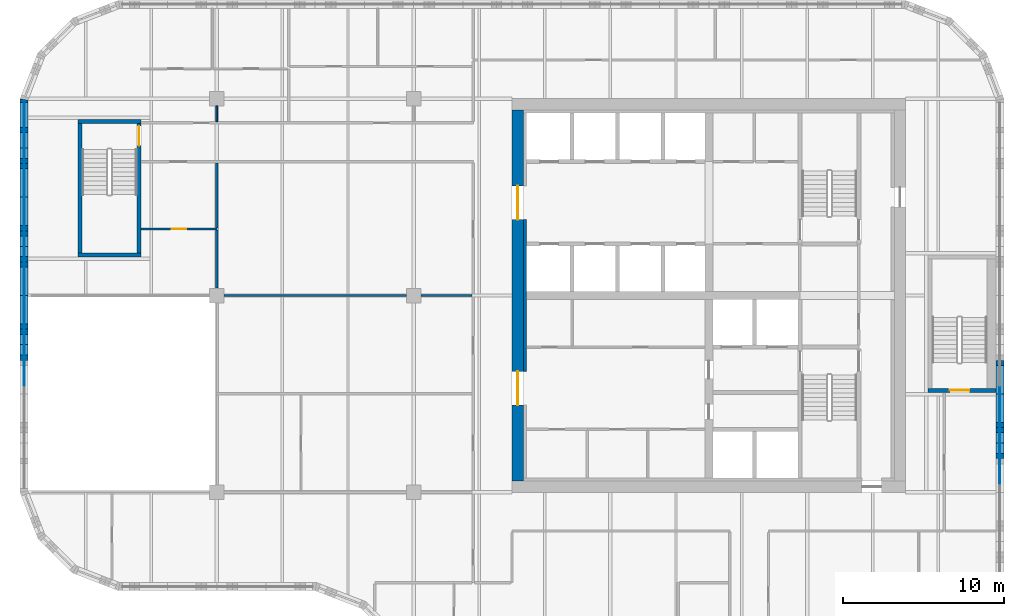
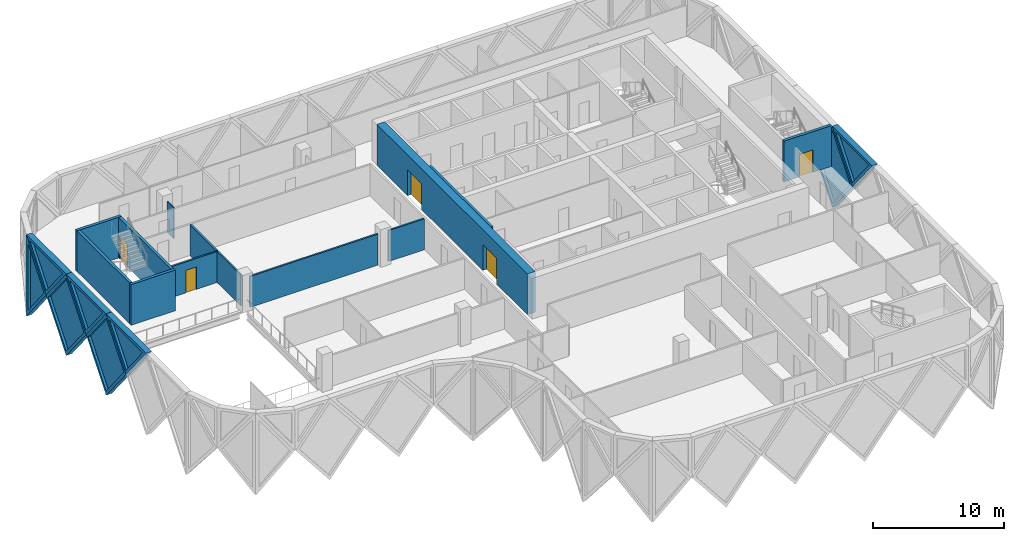
# One storey, part 9 of 15: 21 walls, 8 plates, 5 doors, 13 openings.
"""IFC4 building model written with IfcOpenShell, lengths in metres."""

from ifc_helpers import new_model, si_unit, direction, frame, frame_2d, origin, place, context, subcontext, project, spatial, polyline, rectangle, outline, extrude, faceted_brep, source, transform, mapped, material, layer, layer_set, type_object, element, fill, save


model = new_model("IFC4")

# Units and contexts
model_context = context("Model", 3, precision=1e-05, world=origin(), true_north=direction((0.0, 1.0)))
body_context = subcontext(model_context, "Body", "Model", "MODEL_VIEW")
ifc_project = project(units=[si_unit("LENGTHUNIT", "METRE"), si_unit("AREAUNIT", "SQUARE_METRE"), si_unit("VOLUMEUNIT", "CUBIC_METRE"), si_unit("PLANEANGLEUNIT", "RADIAN"), si_unit("MASSUNIT", "GRAM", prefix="KILO")], contexts=[model_context])

# Site, building, storey
site_placement = place(None, origin())
site = spatial("IfcSite", under=ifc_project, at=site_placement, CompositionType="ELEMENT")
building_placement = place(site_placement, origin())
building = spatial("IfcBuilding", under=site, at=building_placement, Name="Tessera Gate Towers", CompositionType="ELEMENT")
storey_placement = place(building_placement, frame((0.0, 0.0, 146.800048828125)))
storey = spatial("IfcBuildingStorey", under=building, at=storey_placement, Name="L36", CompositionType="ELEMENT", Elevation=146.800048828125)

# Walls
ifc_material_1 = material(Name="Concrete C40/50", Category="concrete")
ifc_layer_1 = layer(ifc_material_1, 0.25)
ifc_layer_set_1 = layer_set([ifc_layer_1], Name="CORE ENCLOSURE WALL 250")
wall_type_1 = type_object("IfcWallType", Name="CORE ENCLOSURE WALL 250", PredefinedType="SOLIDWALL", material=ifc_layer_set_1)
wall_1_placement = place(storey_placement, frame((7.5, 39.125, 0.0), z_axis=(0.0, 0.0, 1.0), x_axis=(-1.0, 0.0, 0.0)))
element("IfcWall", 1, at=wall_1_placement, inside=storey, type_object=wall_type_1, Name="L36 ST3 enclosure wall", PredefinedType="SOLIDWALL", context=body_context, shape_type="SweptSolid", body=[
    extrude(rectangle(XDim=3.89990234375, YDim=0.25, at=frame_2d((1.949951171875, 0.0))), origin(), (0.0, 0.0, 1.0), 3.800048828125),
])
wall_2_placement = place(storey_placement, frame((3.72509765625, 39.25, 0.0), z_axis=(0.0, 0.0, 1.0), x_axis=(0.0, 1.0, 0.0)))
element("IfcWall", 2, at=wall_2_placement, inside=storey, type_object=wall_type_1, Name="L36 ST3 enclosure wall", PredefinedType="SOLIDWALL", context=body_context, shape_type="SweptSolid", body=[
    extrude(rectangle(XDim=8.0, YDim=0.25, at=frame_2d((4.0, 0.0))), origin(), (0.0, 0.0, 1.0), 3.800048828125),
])
wall_3_placement = place(storey_placement, frame((3.60009765625, 47.375, 0.0), z_axis=(0.0, 0.0, 1.0), x_axis=(1.0, 0.0, 0.0)))
element("IfcWall", 3, at=wall_3_placement, inside=storey, type_object=wall_type_1, Name="L36 ST3 enclosure wall", PredefinedType="SOLIDWALL", context=body_context, shape_type="SweptSolid", body=[
    extrude(rectangle(XDim=3.89990234375, YDim=0.25, at=frame_2d((1.949951171875, 0.0))), origin(), (0.0, 0.0, 1.0), 3.800048828125),
])

# Wall, opening, door
wall_4_placement = place(storey_placement, frame((7.375, 47.25, 0.0), z_axis=(0.0, 0.0, 1.0), x_axis=(0.0, -1.0, 0.0)))
wall_4 = element("IfcWall", 4, at=wall_4_placement, inside=storey, type_object=wall_type_1, Name="L36 ST3 enclosure wall", PredefinedType="SOLIDWALL", context=body_context, shape_type="SweptSolid", body=[
    extrude(rectangle(XDim=8.0, YDim=0.25, at=frame_2d((4.0, 0.0))), origin(), (0.0, 0.0, 1.0), 3.800048828125),
])
shared_shape_1 = source(origin(), body_context, "Body", "SweptSolid", [
    extrude(rectangle(XDim=1.199951171875, YDim=2.10009765625, at=frame_2d((0.60009765625, 1.050048828125))), frame((0.0, 0.135009765625, 0.0), z_axis=(0.0, -1.0, 0.0), x_axis=(1.0, 0.0, 0.0)), (0.0, 0.0, 1.0), 0.27001953125),
])
opening_1_placement = place(wall_4_placement, frame((0.14990234375, 0.0, 0.0)))
opening_1 = element("IfcOpeningElement", 5, at=opening_1_placement, cuts=wall_4, Name="Opening SD-ST3-1", PredefinedType="OPENING", context=body_context, shape_type="MappedRepresentation", body=[
    mapped(shared_shape_1, transform((0.0, 0.0, 0.0), scale=1.0)),
])
ifc_material_2 = material(Name="Hollow steel fire door", Category="steel")
door_type_1 = type_object("IfcDoorType", Name="CORE DOOR SD 1200x2100", OperationType="NOTDEFINED", PredefinedType="DOOR", material=ifc_material_2)
shared_shape_2 = source(origin(), body_context, "Body", "SweptSolid", [
    extrude(rectangle(XDim=1.199951171875, YDim=2.10009765625, at=frame_2d((0.60009765625, 1.050048828125))), frame((0.0, 0.02490234375, 0.0), z_axis=(0.0, -1.0, 0.0), x_axis=(1.0, 0.0, 0.0)), (0.0, 0.0, 1.0), 0.050048828125),
])
door_1_placement = place(opening_1_placement, origin())
door_1 = element("IfcDoor", 6, at=door_1_placement, inside=storey, type_object=door_type_1, Name="Stair door", OperationType="SINGLE_SWING_LEFT", OverallHeight=2.10009765625, OverallWidth=1.199951171875, PredefinedType="DOOR", context=body_context, shape_type="MappedRepresentation", body=[
    mapped(shared_shape_2, transform((0.0, 0.0, 0.0), scale=1.0)),
])
fill(opening_1, door_1)

wall_5_placement = place(storey_placement, frame((60.5, 30.72509765625, 0.0), z_axis=(0.0, 0.0, 1.0), x_axis=(-1.0, 0.0, 0.0)))
wall_5 = element("IfcWall", 7, at=wall_5_placement, inside=storey, type_object=wall_type_1, Name="L36 ST5 enclosure wall", PredefinedType="SOLIDWALL", context=body_context, shape_type="SweptSolid", body=[
    extrude(rectangle(XDim=4.199951171875, YDim=0.25, at=frame_2d((2.10009765625, 0.0))), origin(), (0.0, 0.0, 1.0), 3.800048828125),
])
opening_2_placement = place(wall_5_placement, frame((1.64990234375, 0.0, 0.0)))
opening_2 = element("IfcOpeningElement", 8, at=opening_2_placement, cuts=wall_5, Name="Opening SD-ST5-1", PredefinedType="OPENING", context=body_context, shape_type="MappedRepresentation", body=[
    mapped(shared_shape_1, transform((0.0, 0.0, 0.0), scale=1.0)),
])
door_2_placement = place(opening_2_placement, origin())
door_2 = element("IfcDoor", 9, at=door_2_placement, inside=storey, type_object=door_type_1, Name="Stair door", OperationType="SINGLE_SWING_RIGHT", OverallHeight=2.10009765625, OverallWidth=1.199951171875, PredefinedType="DOOR", context=body_context, shape_type="MappedRepresentation", body=[
    mapped(shared_shape_2, transform((0.0, 0.0, 0.0), scale=1.0)),
])
fill(opening_2, door_2)

# Wall, openings, doors
ifc_material_3 = material(Name="Concrete C60/75", Category="concrete")
ifc_layer_2 = layer(ifc_material_3, 0.699951171875)
ifc_layer_set_2 = layer_set([ifc_layer_2], Name="CORE SHEAR WALL 700 C60/75")
wall_type_2 = type_object("IfcWallType", Name="CORE SHEAR WALL 700 C60/75", PredefinedType="SHEAR", material=ifc_layer_set_2)
wall_6_placement = place(storey_placement, frame((30.85009765625, 25.10009765625, 0.0), z_axis=(0.0, 0.0, 1.0), x_axis=(0.0, 1.0, 0.0)))
wall_6 = element("IfcWall", 10, at=wall_6_placement, inside=storey, type_object=wall_type_2, Name="Core wall W L36", PredefinedType="SHEAR", context=body_context, shape_type="SweptSolid", body=[
    extrude(rectangle(XDim=23.0, YDim=0.699951171875, at=frame_2d((11.5, 0.0))), origin(), (0.0, 0.0, 1.0), 3.800048828125),
])
shared_shape_3 = source(origin(), body_context, "Body", "SweptSolid", [
    extrude(rectangle(XDim=2.10009765625, YDim=2.39990234375, at=frame_2d((1.050048828125, 1.199951171875))), frame((0.0, 0.35986328125, 0.0), z_axis=(0.0, -1.0, 0.0), x_axis=(1.0, 0.0, 0.0)), (0.0, 0.0, 1.0), 0.719970703125),
])
opening_3_placement = place(wall_6_placement, frame((4.699951171875, 0.0, 0.0)))
opening_3 = element("IfcOpeningElement", 11, at=opening_3_placement, cuts=wall_6, Name="Opening DD-T1-23-02", PredefinedType="OPENING", context=body_context, shape_type="MappedRepresentation", body=[
    mapped(shared_shape_3, transform((0.0, 0.0, 0.0), scale=1.0)),
])
opening_4_placement = place(wall_6_placement, frame((16.199951171875, 0.0, 0.0)))
opening_4 = element("IfcOpeningElement", 12, at=opening_4_placement, cuts=wall_6, Name="Opening DD-T1-23-03", PredefinedType="OPENING", context=body_context, shape_type="MappedRepresentation", body=[
    mapped(shared_shape_3, transform((0.0, 0.0, 0.0), scale=1.0)),
])
ifc_material_4 = material(Name="Hollow steel fire door", Category="steel")
door_type_2 = type_object("IfcDoorType", Name="CORE DOOR DD 2100x2400", OperationType="NOTDEFINED", PredefinedType="DOOR", material=ifc_material_4)
shared_shape_4 = source(origin(), body_context, "Body", "SweptSolid", [
    extrude(rectangle(XDim=2.10009765625, YDim=2.39990234375, at=frame_2d((1.050048828125, 1.199951171875))), frame((0.0, 0.02490234375, 0.0), z_axis=(0.0, -1.0, 0.0), x_axis=(1.0, 0.0, 0.0)), (0.0, 0.0, 1.0), 0.050048828125),
])
door_3_placement = place(opening_3_placement, origin())
door_3 = element("IfcDoor", 13, at=door_3_placement, inside=storey, type_object=door_type_2, Name="Core entrance door", OperationType="DOUBLE_DOOR_SINGLE_SWING", OverallHeight=2.39990234375, OverallWidth=2.10009765625, PredefinedType="DOOR", context=body_context, shape_type="MappedRepresentation", body=[
    mapped(shared_shape_4, transform((0.0, 0.0, 0.0), scale=1.0)),
])
fill(opening_3, door_3)
door_4_placement = place(opening_4_placement, origin())
door_4 = element("IfcDoor", 14, at=door_4_placement, inside=storey, type_object=door_type_2, Name="Core entrance door", OperationType="DOUBLE_DOOR_SINGLE_SWING", OverallHeight=2.39990234375, OverallWidth=2.10009765625, PredefinedType="DOOR", context=body_context, shape_type="MappedRepresentation", body=[
    mapped(shared_shape_4, transform((0.0, 0.0, 0.0), scale=1.0)),
])
fill(opening_4, door_4)

# Walls
ifc_material_5 = material(Name="Concrete C60/75", Category="concrete")
ifc_layer_3 = layer(ifc_material_5, 0.199951171875)
ifc_layer_set_3 = layer_set([ifc_layer_3], Name="CORE WALL THICKENING 200")
wall_type_3 = type_object("IfcWallType", Name="CORE WALL THICKENING 200", PredefinedType="SOLIDWALL", material=ifc_layer_set_3)
wall_7_placement = place(storey_placement, frame((31.300048828125, 31.89990234375, 0.0), z_axis=(0.0, 0.0, 1.0), x_axis=(0.0, 1.0, 0.0)))
element("IfcWall", 15, at=wall_7_placement, inside=storey, type_object=wall_type_3, Name="Core wall thickening W L36", PredefinedType="SOLIDWALL", context=body_context, shape_type="SweptSolid", body=[
    extrude(rectangle(XDim=9.400146484375, YDim=0.199951171875, at=frame_2d((4.7001953125, 0.0))), origin(), (0.0, 0.0, 1.0), 3.800048828125),
])
ifc_material_6 = material(Name="Gypsum board on steel studs", Category="steel")
ifc_layer_4 = layer(ifc_material_6, 0.10009765625)
ifc_layer_set_4 = layer_set([ifc_layer_4], Name="PARTITION 100")
wall_type_4 = type_object("IfcWallType", Name="PARTITION 100", PredefinedType="PARTITIONING", material=ifc_layer_set_4)
wall_8_placement = place(storey_placement, frame((12.199951171875, 48.35009765625, 0.0), z_axis=(0.0, 0.0, 1.0), x_axis=(0.0, -1.0, 0.0)))
element("IfcWall", 16, at=wall_8_placement, inside=storey, type_object=wall_type_4, Name="T1-L36-PW-044", PredefinedType="PARTITIONING", context=body_context, shape_type="SweptSolid", body=[
    extrude(rectangle(XDim=0.97509765625, YDim=0.10009765625, at=frame_2d((0.487548828125, 0.0))), origin(), (0.0, 0.0, 1.0), 2.887939453125),
])
ifc_material_7 = material(Name="Gypsum board on steel studs, mineral wool", Category="steel")
ifc_layer_5 = layer(ifc_material_7, 0.14990234375)
ifc_layer_set_5 = layer_set([ifc_layer_5], Name="TENANCY WALL 150")
wall_type_5 = type_object("IfcWallType", Name="TENANCY WALL 150", PredefinedType="PARTITIONING", material=ifc_layer_set_5)
wall_9_placement = place(storey_placement, frame((12.65087890625, 36.60009765625, 0.0), z_axis=(0.0, 0.0, 1.0), x_axis=(1.0, 0.0, 0.0)))
element("IfcWall", 17, at=wall_9_placement, inside=storey, type_object=wall_type_5, Name="T1-L36-PW-035", PredefinedType="PARTITIONING", context=body_context, shape_type="SweptSolid", body=[
    extrude(rectangle(XDim=11.298095703125, YDim=0.14990234375, at=frame_2d((5.64892578125, 0.0))), origin(), (0.0, 0.0, 1.0), 2.887939453125),
])
wall_10_placement = place(storey_placement, frame((24.85107421875, 36.60009765625, 0.0), z_axis=(0.0, 0.0, 1.0), x_axis=(1.0, 0.0, 0.0)))
element("IfcWall", 18, at=wall_10_placement, inside=storey, type_object=wall_type_5, Name="T1-L36-PW-036", PredefinedType="PARTITIONING", context=body_context, shape_type="SweptSolid", body=[
    extrude(rectangle(XDim=3.1728515625, YDim=0.14990234375, at=frame_2d((1.58642578125, 0.0))), origin(), (0.0, 0.0, 1.0), 2.887939453125),
])
wall_11_placement = place(storey_placement, frame((12.199951171875, 37.051025390625, 0.0), z_axis=(0.0, 0.0, 1.0), x_axis=(0.0, 1.0, 0.0)))
element("IfcWall", 19, at=wall_11_placement, inside=storey, type_object=wall_type_5, Name="T1-L36-PW-037", PredefinedType="PARTITIONING", context=body_context, shape_type="SweptSolid", body=[
    extrude(rectangle(XDim=3.597900390625, YDim=0.14990234375, at=frame_2d((1.798828125, 0.0))), origin(), (0.0, 0.0, 1.0), 2.887939453125),
])

# Wall, opening, door
wall_12_placement = place(storey_placement, frame((12.199951171875, 40.72509765625, 0.0), z_axis=(0.0, 0.0, 1.0), x_axis=(-1.0, 0.0, 0.0)))
wall_12 = element("IfcWall", 20, at=wall_12_placement, inside=storey, type_object=wall_type_5, Name="T1-L36-PW-038", PredefinedType="PARTITIONING", context=body_context, shape_type="SweptSolid", body=[
    extrude(rectangle(XDim=4.699951171875, YDim=0.14990234375, at=frame_2d((2.35009765625, 0.0))), origin(), (0.0, 0.0, 1.0), 2.887939453125),
])
shared_shape_5 = source(origin(), body_context, "Body", "SweptSolid", [
    extrude(rectangle(XDim=0.89990234375, YDim=2.10009765625, at=frame_2d((0.449951171875, 1.050048828125))), frame((0.0, 0.0849609375, 0.0), z_axis=(0.0, -1.0, 0.0), x_axis=(1.0, 0.0, 0.0)), (0.0, 0.0, 1.0), 0.169921875),
])
opening_5_placement = place(wall_12_placement, frame((1.89990234375, 0.0, 0.0)))
opening_5 = element("IfcOpeningElement", 21, at=opening_5_placement, cuts=wall_12, Name="Opening D190-A13-03", PredefinedType="OPENING", context=body_context, shape_type="MappedRepresentation", body=[
    mapped(shared_shape_5, transform((0.0, 0.0, 0.0), scale=1.0)),
])
ifc_material_8 = material(Name="Timber door leaf in steel frame", Category="steel")
door_type_3 = type_object("IfcDoorType", Name="INTERNAL DOOR 900 NOT RATED", OperationType="NOTDEFINED", PredefinedType="DOOR", material=ifc_material_8)
shared_shape_6 = source(origin(), body_context, "Body", "SweptSolid", [
    extrude(rectangle(XDim=0.89990234375, YDim=2.10009765625, at=frame_2d((0.449951171875, 1.050048828125))), frame((0.0, 0.02490234375, 0.0), z_axis=(0.0, -1.0, 0.0), x_axis=(1.0, 0.0, 0.0)), (0.0, 0.0, 1.0), 0.050048828125),
])
door_5_placement = place(opening_5_placement, origin())
door_5 = element("IfcDoor", 22, at=door_5_placement, inside=storey, type_object=door_type_3, Name="T1-L36-PD-007", OperationType="SINGLE_SWING_RIGHT", OverallHeight=2.10009765625, OverallWidth=0.89990234375, PredefinedType="DOOR", context=body_context, shape_type="MappedRepresentation", body=[
    mapped(shared_shape_6, transform((0.0, 0.0, 0.0), scale=1.0)),
])
fill(opening_5, door_5)

# Wall
wall_13_placement = place(storey_placement, frame((12.199951171875, 40.801025390625, 0.0), z_axis=(0.0, 0.0, 1.0), x_axis=(0.0, 1.0, 0.0)))
element("IfcWall", 23, at=wall_13_placement, inside=storey, type_object=wall_type_5, Name="T1-L36-PW-039", PredefinedType="PARTITIONING", context=body_context, shape_type="SweptSolid", body=[
    extrude(rectangle(XDim=4.02294921875, YDim=0.14990234375, at=frame_2d((2.011474609375, 0.0))), origin(), (0.0, 0.0, 1.0), 2.887939453125),
])

# Wall, opening, plate
ifc_material_9 = material(Name="Precast concrete C60/75 white", Category="concrete")
ifc_layer_6 = layer(ifc_material_9, 0.5)
ifc_layer_set_6 = layer_set([ifc_layer_6], Name="TS1 tessera")
wall_type_6 = type_object("IfcWallType", Name="TS1 tessera", PredefinedType="SOLIDWALL", material=ifc_layer_set_6)
shared_shape_7 = source(origin(), body_context, "Body", "Brep", [
    faceted_brep([(3.050048828125, -0.25, 0.0), (6.099853515625, -0.25, 3.7998046875), (6.099853515625, -0.25, 3.80029296875), (3.050048828125, -0.25, 7.60009765625), (0.0, -0.25, 3.800048828125), (0.0, 0.25, 3.800048828125), (3.050048828125, 0.25, 7.60009765625), (6.099853515625, 0.25, 3.80029296875), (6.099853515625, 0.25, 3.7998046875), (3.050048828125, 0.25, 0.0)], [[[0, 1, 2, 3, 4]], [[5, 6, 7, 8, 9]], [[9, 8, 1, 0]], [[7, 6, 3, 2]], [[6, 5, 4, 3]], [[5, 9, 0, 4]], [[1, 8, 7, 2]]]),
])
wall_14_placement = place(storey_placement, frame((0.25, 39.64990234375, -3.800048828125), z_axis=(0.0, 0.0, 1.0), x_axis=(0.0, -1.0, 0.0)))
wall_14 = element("IfcWall", 24, at=wall_14_placement, inside=storey, type_object=wall_type_6, Name="Precast tessera T1 TS1-0640", PredefinedType="SOLIDWALL", context=body_context, shape_type="MappedRepresentation", body=[
    mapped(shared_shape_7, transform((0.0, 0.0, 0.0), scale=1.0)),
])
shared_shape_8 = source(origin(), body_context, "Body", "SweptSolid", [
    extrude(outline(polyline([(3.050048828125, 0.3994140625), (5.779541015625, 3.800048828125), (3.050048828125, 7.20068359375), (0.320556640625, 3.800048828125), (3.050048828125, 0.3994140625)])), frame((0.0, 0.260009765625, 0.0), z_axis=(0.0, -1.0, 0.0), x_axis=(1.0, 0.0, 0.0)), (0.0, 0.0, 1.0), 0.52001953125),
])
opening_6_placement = place(wall_14_placement, origin())
opening_6 = element("IfcOpeningElement", 25, at=opening_6_placement, cuts=wall_14, Name="Opening T1-PL2-1300", PredefinedType="OPENING", context=body_context, shape_type="MappedRepresentation", body=[
    mapped(shared_shape_8, transform((0.0, 0.0, 0.0), scale=1.0)),
])
ifc_material_10 = material(Name="Low-e laminated glass", Category="glass")
ifc_layer_7 = layer(ifc_material_10, 0.06005859375)
ifc_layer_set_7 = layer_set([ifc_layer_7], Name="PL2 rhombic pane")
plate_type_1 = type_object("IfcPlateType", Name="PL2 rhombic pane", PredefinedType="SHEET", material=ifc_layer_set_7)
shared_shape_9 = source(origin(), body_context, "Body", "SweptSolid", [
    extrude(outline(polyline([(3.050048828125, 0.3994140625), (5.779541015625, 3.800048828125), (3.050048828125, 7.20068359375), (0.320556640625, 3.800048828125), (3.050048828125, 0.3994140625)])), frame((0.0, 0.030029296875, 0.0), z_axis=(0.0, -1.0, 0.0), x_axis=(1.0, 0.0, 0.0)), (0.0, 0.0, 1.0), 0.06005859375),
])
plate_1_placement = place(opening_6_placement, origin())
plate_1 = element("IfcPlate", 26, at=plate_1_placement, inside=storey, type_object=plate_type_1, Name="Glass pane T1 PL2-1300", PredefinedType="SHEET", context=body_context, shape_type="MappedRepresentation", body=[
    mapped(shared_shape_9, transform((0.0, 0.0, 0.0), scale=1.0)),
])
fill(opening_6, plate_1)

shared_shape_10 = source(origin(), body_context, "Body", "SweptSolid", [
    extrude(outline(polyline([(3.050048828125, 0.0), (6.10009765625, 3.800048828125), (3.050048828125, 7.60009765625), (0.0, 3.800048828125), (3.050048828125, 0.0)])), frame((0.0, 0.25, 0.0), z_axis=(0.0, -1.0, 0.0), x_axis=(1.0, 0.0, 0.0)), (0.0, 0.0, 1.0), 0.5),
])
wall_15_placement = place(storey_placement, frame((60.75, 27.449951171875, -3.800048828125), z_axis=(0.0, 0.0, 1.0), x_axis=(0.0, 1.0, 0.0)))
wall_15 = element("IfcWall", 27, at=wall_15_placement, inside=storey, type_object=wall_type_6, Name="Precast tessera T1 TS1-0628", PredefinedType="SOLIDWALL", context=body_context, shape_type="MappedRepresentation", body=[
    mapped(shared_shape_10, transform((0.0, 0.0, 0.0), scale=1.0)),
])
opening_7_placement = place(wall_15_placement, origin())
opening_7 = element("IfcOpeningElement", 28, at=opening_7_placement, cuts=wall_15, Name="Opening T1-PL2-1280", PredefinedType="OPENING", context=body_context, shape_type="MappedRepresentation", body=[
    mapped(shared_shape_8, transform((0.0, 0.0, 0.0), scale=1.0)),
])
plate_2_placement = place(opening_7_placement, origin())
plate_2 = element("IfcPlate", 29, at=plate_2_placement, inside=storey, type_object=plate_type_1, Name="Glass pane T1 PL2-1280", PredefinedType="SHEET", context=body_context, shape_type="MappedRepresentation", body=[
    mapped(shared_shape_9, transform((0.0, 0.0, 0.0), scale=1.0)),
])
fill(opening_7, plate_2)

wall_16_placement = place(storey_placement, frame((0.25, 45.75, -3.800048828125), z_axis=(0.0, 0.0, 1.0), x_axis=(0.0, -1.0, 0.0)))
wall_16 = element("IfcWall", 30, at=wall_16_placement, inside=storey, type_object=wall_type_6, Name="Precast tessera T1 TS1-0639", PredefinedType="SOLIDWALL", context=body_context, shape_type="MappedRepresentation", body=[
    mapped(shared_shape_10, transform((0.0, 0.0, 0.0), scale=1.0)),
])
opening_8_placement = place(wall_16_placement, origin())
opening_8 = element("IfcOpeningElement", 31, at=opening_8_placement, cuts=wall_16, Name="Opening T1-PL2-1299", PredefinedType="OPENING", context=body_context, shape_type="MappedRepresentation", body=[
    mapped(shared_shape_8, transform((0.0, 0.0, 0.0), scale=1.0)),
])
plate_3_placement = place(opening_8_placement, origin())
plate_3 = element("IfcPlate", 32, at=plate_3_placement, inside=storey, type_object=plate_type_1, Name="Glass pane T1 PL2-1299", PredefinedType="SHEET", context=body_context, shape_type="MappedRepresentation", body=[
    mapped(shared_shape_9, transform((0.0, 0.0, 0.0), scale=1.0)),
])
fill(opening_8, plate_3)

ifc_material_11 = material(Name="Precast concrete C60/75 white", Category="concrete")
ifc_layer_8 = layer(ifc_material_11, 0.5)
ifc_layer_set_8 = layer_set([ifc_layer_8], Name="TS3 corner tessera")
wall_type_7 = type_object("IfcWallType", Name="TS3 corner tessera", PredefinedType="SOLIDWALL", material=ifc_layer_set_8)
shared_shape_11 = source(origin(), body_context, "Body", "Brep", [
    faceted_brep([(0.046630859375, -0.25, 0.0), (3.050048828125, -0.25, 3.800048828125), (0.046630859375, -0.25, 7.60009765625), (0.0, -0.25, 7.5400390625), (0.0, -0.25, 0.06005859375), (0.09326171875, 0.25, 7.541259765625), (3.050048828125, 0.25, 3.800048828125), (0.09326171875, 0.25, 0.058837890625), (0.046630859375, 0.0, 0.0), (0.046630859375, 0.0, 7.60009765625)], [[[0, 1, 2, 3, 4]], [[5, 6, 7]], [[7, 6, 1, 0, 8]], [[6, 5, 9, 2, 1]], [[3, 2, 9]], [[8, 0, 4]], [[7, 8, 4, 3, 9, 5]]]),
])
wall_17_placement = place(storey_placement, frame((0.25, 48.800048828125, -3.800048828125), z_axis=(0.0, 0.0, 1.0), x_axis=(0.0, -1.0, 0.0)))
wall_17 = element("IfcWall", 33, at=wall_17_placement, inside=storey, type_object=wall_type_7, Name="Precast corner tessera T1 TS3-0828", PredefinedType="SOLIDWALL", context=body_context, shape_type="MappedRepresentation", body=[
    mapped(shared_shape_11, transform((0.0, 0.0, 0.0), scale=1.0)),
])
shared_shape_12 = source(origin(), body_context, "Body", "SweptSolid", [
    extrude(outline(polyline([(0.24658203125, 0.65625), (2.7314453125, 3.800048828125), (0.24658203125, 6.94384765625), (0.24658203125, 0.65625)])), frame((0.0, 0.260009765625, 0.0), z_axis=(0.0, -1.0, 0.0), x_axis=(1.0, 0.0, 0.0)), (0.0, 0.0, 1.0), 0.52001953125),
])
opening_9_placement = place(wall_17_placement, origin())
opening_9 = element("IfcOpeningElement", 34, at=opening_9_placement, cuts=wall_17, Name="Opening T1-PL2-1298", PredefinedType="OPENING", context=body_context, shape_type="MappedRepresentation", body=[
    mapped(shared_shape_12, transform((0.0, 0.0, 0.0), scale=1.0)),
])
shared_shape_13 = source(origin(), body_context, "Body", "SweptSolid", [
    extrude(outline(polyline([(0.24658203125, 0.65625), (2.7314453125, 3.800048828125), (0.24658203125, 6.94384765625), (0.24658203125, 0.65625)])), frame((0.0, 0.030029296875, 0.0), z_axis=(0.0, -1.0, 0.0), x_axis=(1.0, 0.0, 0.0)), (0.0, 0.0, 1.0), 0.06005859375),
])
plate_4_placement = place(opening_9_placement, origin())
plate_4 = element("IfcPlate", 35, at=plate_4_placement, inside=storey, type_object=plate_type_1, Name="Glass pane T1 PL2-1298", PredefinedType="SHEET", context=body_context, shape_type="MappedRepresentation", body=[
    mapped(shared_shape_13, transform((0.0, 0.0, 0.0), scale=1.0)),
])
fill(opening_9, plate_4)

ifc_material_12 = material(Name="Precast concrete C60/75 white", Category="concrete")
ifc_layer_9 = layer(ifc_material_12, 0.5)
ifc_layer_set_9 = layer_set([ifc_layer_9], Name="TS2 half tessera")
wall_type_8 = type_object("IfcWallType", Name="TS2 half tessera", PredefinedType="SOLIDWALL", material=ifc_layer_set_9)
shared_shape_14 = source(origin(), body_context, "Body", "Brep", [
    faceted_brep([(3.050048828125, -0.25, 0.0), (6.099853515625, -0.25, 3.7998046875), (6.099853515625, -0.25, 3.800048828125), (0.0, -0.25, 3.800048828125), (0.0, 0.25, 3.800048828125), (6.099853515625, 0.25, 3.800048828125), (6.099853515625, 0.25, 3.7998046875), (3.050048828125, 0.25, 0.0)], [[[0, 1, 2, 3]], [[4, 5, 6, 7]], [[7, 6, 1, 0]], [[5, 4, 3, 2]], [[4, 7, 0, 3]], [[1, 6, 5, 2]]]),
])
wall_18_placement = place(storey_placement, frame((0.25, 42.699951171875, 0.0), z_axis=(0.0, 0.0, 1.0), x_axis=(0.0, -1.0, 0.0)))
wall_18 = element("IfcWall", 36, at=wall_18_placement, inside=storey, type_object=wall_type_8, Name="Precast half tessera T1 TS2-0179", PredefinedType="SOLIDWALL", context=body_context, shape_type="MappedRepresentation", body=[
    mapped(shared_shape_14, transform((0.0, 0.0, 0.0), scale=1.0)),
])
shared_shape_15 = source(origin(), body_context, "Body", "SweptSolid", [
    extrude(outline(polyline([(3.050048828125, 0.3994140625), (5.578857421875, 3.550048828125), (0.521240234375, 3.550048828125), (3.050048828125, 0.3994140625)])), frame((0.0, 0.260009765625, 0.0), z_axis=(0.0, -1.0, 0.0), x_axis=(1.0, 0.0, 0.0)), (0.0, 0.0, 1.0), 0.52001953125),
])
opening_10_placement = place(wall_18_placement, origin())
opening_10 = element("IfcOpeningElement", 37, at=opening_10_placement, cuts=wall_18, Name="Opening T1-PL1-0361", PredefinedType="OPENING", context=body_context, shape_type="MappedRepresentation", body=[
    mapped(shared_shape_15, transform((0.0, 0.0, 0.0), scale=1.0)),
])
ifc_material_13 = material(Name="Low-e laminated glass", Category="glass")
ifc_layer_10 = layer(ifc_material_13, 0.06005859375)
ifc_layer_set_10 = layer_set([ifc_layer_10], Name="PL1 triangular pane")
plate_type_2 = type_object("IfcPlateType", Name="PL1 triangular pane", PredefinedType="SHEET", material=ifc_layer_set_10)
shared_shape_16 = source(origin(), body_context, "Body", "SweptSolid", [
    extrude(outline(polyline([(3.050048828125, 0.3994140625), (5.578857421875, 3.550048828125), (0.521240234375, 3.550048828125), (3.050048828125, 0.3994140625)])), frame((0.0, 0.030029296875, 0.0), z_axis=(0.0, -1.0, 0.0), x_axis=(1.0, 0.0, 0.0)), (0.0, 0.0, 1.0), 0.06005859375),
])
plate_5_placement = place(opening_10_placement, origin())
plate_5 = element("IfcPlate", 38, at=plate_5_placement, inside=storey, type_object=plate_type_2, Name="Glass pane T1 PL1-0361", PredefinedType="SHEET", context=body_context, shape_type="MappedRepresentation", body=[
    mapped(shared_shape_16, transform((0.0, 0.0, 0.0), scale=1.0)),
])
fill(opening_10, plate_5)

shared_shape_17 = source(origin(), body_context, "Body", "SweptSolid", [
    extrude(outline(polyline([(3.050048828125, 0.0), (6.10009765625, 3.800048828125), (0.0, 3.800048828125), (3.050048828125, 0.0)])), frame((0.0, 0.25, 0.0), z_axis=(0.0, -1.0, 0.0), x_axis=(1.0, 0.0, 0.0)), (0.0, 0.0, 1.0), 0.5),
])
wall_19_placement = place(storey_placement, frame((60.75, 24.39990234375, 0.0), z_axis=(0.0, 0.0, 1.0), x_axis=(0.0, 1.0, 0.0)))
wall_19 = element("IfcWall", 39, at=wall_19_placement, inside=storey, type_object=wall_type_8, Name="Precast half tessera T1 TS2-0167", PredefinedType="SOLIDWALL", context=body_context, shape_type="MappedRepresentation", body=[
    mapped(shared_shape_17, transform((0.0, 0.0, 0.0), scale=1.0)),
])
opening_11_placement = place(wall_19_placement, origin())
opening_11 = element("IfcOpeningElement", 40, at=opening_11_placement, cuts=wall_19, Name="Opening T1-PL1-0341", PredefinedType="OPENING", context=body_context, shape_type="MappedRepresentation", body=[
    mapped(shared_shape_15, transform((0.0, 0.0, 0.0), scale=1.0)),
])
plate_6_placement = place(opening_11_placement, origin())
plate_6 = element("IfcPlate", 41, at=plate_6_placement, inside=storey, type_object=plate_type_2, Name="Glass pane T1 PL1-0341", PredefinedType="SHEET", context=body_context, shape_type="MappedRepresentation", body=[
    mapped(shared_shape_16, transform((0.0, 0.0, 0.0), scale=1.0)),
])
fill(opening_11, plate_6)

wall_20_placement = place(storey_placement, frame((0.25, 36.60009765625, 0.0), z_axis=(0.0, 0.0, 1.0), x_axis=(0.0, -1.0, 0.0)))
wall_20 = element("IfcWall", 42, at=wall_20_placement, inside=storey, type_object=wall_type_8, Name="Precast half tessera T1 TS2-0180", PredefinedType="SOLIDWALL", context=body_context, shape_type="MappedRepresentation", body=[
    mapped(shared_shape_17, transform((0.0, 0.0, 0.0), scale=1.0)),
])
opening_12_placement = place(wall_20_placement, origin())
opening_12 = element("IfcOpeningElement", 43, at=opening_12_placement, cuts=wall_20, Name="Opening T1-PL1-0362", PredefinedType="OPENING", context=body_context, shape_type="MappedRepresentation", body=[
    mapped(shared_shape_15, transform((0.0, 0.0, 0.0), scale=1.0)),
])
plate_7_placement = place(opening_12_placement, origin())
plate_7 = element("IfcPlate", 44, at=plate_7_placement, inside=storey, type_object=plate_type_2, Name="Glass pane T1 PL1-0362", PredefinedType="SHEET", context=body_context, shape_type="MappedRepresentation", body=[
    mapped(shared_shape_16, transform((0.0, 0.0, 0.0), scale=1.0)),
])
fill(opening_12, plate_7)

shared_shape_18 = source(origin(), body_context, "Body", "Brep", [
    faceted_brep([(3.00341796875, -0.25, 0.0), (6.053466796875, -0.25, 3.800048828125), (0.0, -0.25, 3.800048828125), (0.046630859375, 0.25, 3.800048828125), (6.053466796875, 0.25, 3.800048828125), (3.00341796875, 0.25, 0.0), (0.046630859375, 0.25, 3.7412109375), (0.0, 0.0, 3.800048828125)], [[[0, 1, 2]], [[3, 4, 5, 6]], [[5, 4, 1, 0]], [[4, 3, 7, 2, 1]], [[6, 5, 0, 2, 7]], [[6, 7, 3]]]),
])
wall_21_placement = place(storey_placement, frame((0.25, 48.75341796875, 0.0), z_axis=(0.0, 0.0, 1.0), x_axis=(0.0, -1.0, 0.0)))
wall_21 = element("IfcWall", 45, at=wall_21_placement, inside=storey, type_object=wall_type_8, Name="Precast half tessera T1 TS2-0178", PredefinedType="SOLIDWALL", context=body_context, shape_type="MappedRepresentation", body=[
    mapped(shared_shape_18, transform((0.0, 0.0, 0.0), scale=1.0)),
])
shared_shape_19 = source(origin(), body_context, "Body", "SweptSolid", [
    extrude(outline(polyline([(3.0048828125, 0.401123046875), (5.5322265625, 3.550048828125), (0.516357421875, 3.550048828125), (3.0048828125, 0.401123046875)])), frame((0.0, 0.260009765625, 0.0), z_axis=(0.0, -1.0, 0.0), x_axis=(1.0, 0.0, 0.0)), (0.0, 0.0, 1.0), 0.52001953125),
])
opening_13_placement = place(wall_21_placement, origin())
opening_13 = element("IfcOpeningElement", 46, at=opening_13_placement, cuts=wall_21, Name="Opening T1-PL1-0360", PredefinedType="OPENING", context=body_context, shape_type="MappedRepresentation", body=[
    mapped(shared_shape_19, transform((0.0, 0.0, 0.0), scale=1.0)),
])
shared_shape_20 = source(origin(), body_context, "Body", "SweptSolid", [
    extrude(outline(polyline([(3.0048828125, 0.401123046875), (5.5322265625, 3.550048828125), (0.516357421875, 3.550048828125), (3.0048828125, 0.401123046875)])), frame((0.0, 0.030029296875, 0.0), z_axis=(0.0, -1.0, 0.0), x_axis=(1.0, 0.0, 0.0)), (0.0, 0.0, 1.0), 0.06005859375),
])
plate_8_placement = place(opening_13_placement, origin())
plate_8 = element("IfcPlate", 47, at=plate_8_placement, inside=storey, type_object=plate_type_2, Name="Glass pane T1 PL1-0360", PredefinedType="SHEET", context=body_context, shape_type="MappedRepresentation", body=[
    mapped(shared_shape_20, transform((0.0, 0.0, 0.0), scale=1.0)),
])
fill(opening_13, plate_8)

save(model, "model.ifc")
